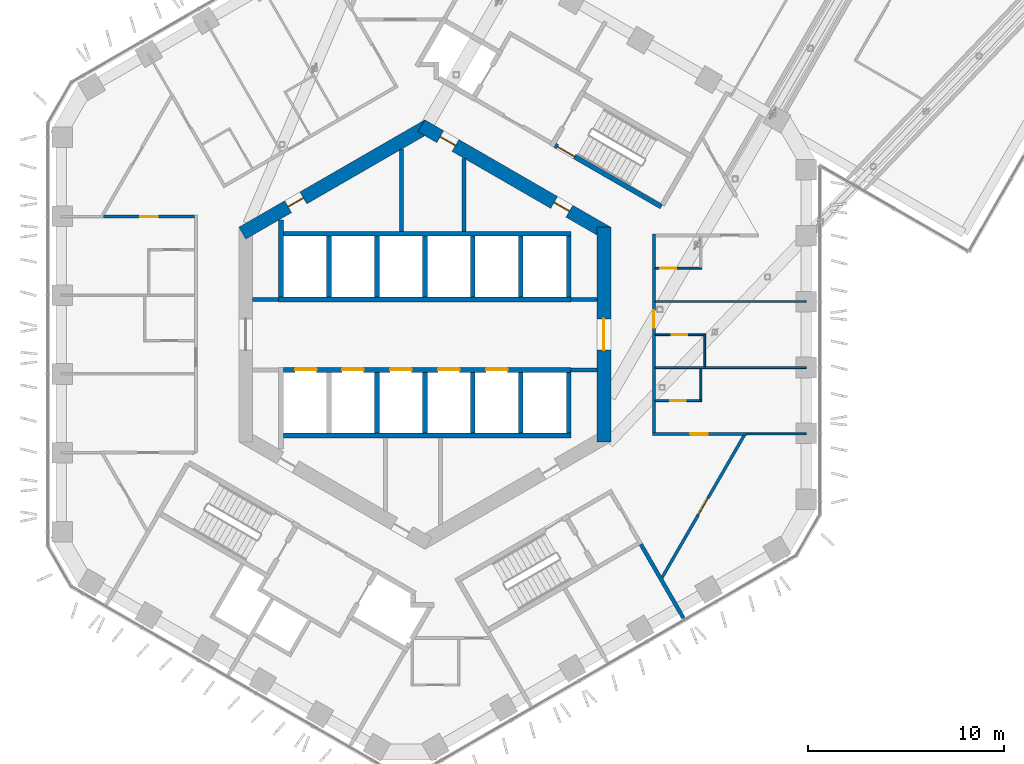
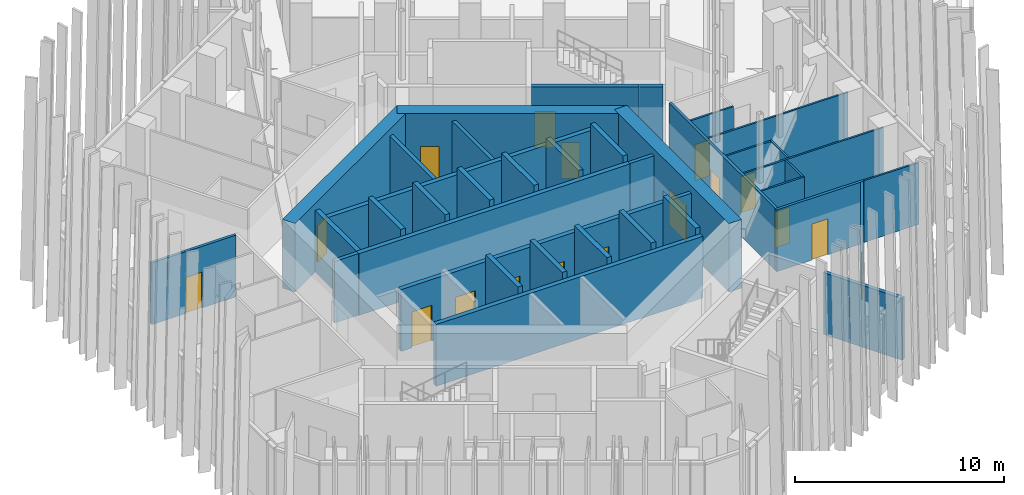
# One storey, part 21 of 31: 39 walls, 17 doors, 17 openings.
"""IFC4 building model written with IfcOpenShell, lengths in metres."""

from ifc_helpers import new_model, si_unit, direction, frame, frame_2d, origin, place, context, subcontext, project, spatial, rectangle, extrude, material, layer, layer_set, type_object, element, fill, save


model = new_model("IFC4")

# Units and contexts
model_context = context("Model", 3, precision=1e-05, world=origin(), true_north=direction((0.0, 1.0)))
body_context = subcontext(model_context, "Body", "Model", "MODEL_VIEW")
ifc_project = project(units=[si_unit("LENGTHUNIT", "METRE"), si_unit("AREAUNIT", "SQUARE_METRE"), si_unit("VOLUMEUNIT", "CUBIC_METRE"), si_unit("PLANEANGLEUNIT", "RADIAN"), si_unit("MASSUNIT", "GRAM", prefix="KILO")], contexts=[model_context])

# Site, building, storey
site_placement = place(None, origin())
site = spatial("IfcSite", under=ifc_project, at=site_placement, CompositionType="ELEMENT")
building_placement = place(site_placement, origin())
building = spatial("IfcBuilding", under=site, at=building_placement, Name="Ayvan Gate Tower", CompositionType="ELEMENT")
storey_placement = place(building_placement, frame((0.0, 0.0, 135.89990234375)))
storey = spatial("IfcBuildingStorey", under=building, at=storey_placement, Name="L36", CompositionType="ELEMENT", Elevation=135.89990234375)

# Wall, opening, door
ifc_material_1 = material(Name="Concrete C70/85", Category="concrete")
ifc_layer_1 = layer(ifc_material_1, 0.699951171875)
ifc_layer_set_1 = layer_set([ifc_layer_1], Name="Concrete C70/85")
wall_type_1 = type_object("IfcWallType", Name="Core wall 700 C70/85", PredefinedType="SHEAR", material=ifc_layer_set_1)
wall_1_placement = place(storey_placement, frame((9.14990234375, -5.48486328125, 0.0), z_axis=(0.0, 0.0, 1.0), x_axis=(0.0, 1.0, 0.0)))
wall_1 = element("IfcWall", 1, at=wall_1_placement, inside=storey, type_object=wall_type_1, Name="CORE-L36-0", PredefinedType="SHEAR", context=body_context, shape_type="SweptSolid", body=[
    extrude(rectangle(XDim=10.9697265625, YDim=0.699951171875, at=frame_2d((5.48486328125, 0.0))), origin(), (0.0, 0.0, 1.0), 4.0),
])
opening_1_placement = place(wall_1_placement, frame((4.684814453125, 0.0, 0.0)))
opening_1 = element("IfcOpeningElement", 2, at=opening_1_placement, cuts=wall_1, Name="Opening L36-D55", PredefinedType="OPENING", context=body_context, shape_type="SweptSolid", body=[
    extrude(rectangle(XDim=1.60009765625, YDim=2.10009765625, at=frame_2d((0.800048828125, 1.050048828125))), frame((0.0, 0.35986328125, 0.0), z_axis=(0.0, -1.0, 0.0), x_axis=(1.0, 0.0, 0.0)), (0.0, 0.0, 1.0), 0.719970703125),
])
ifc_material_2 = material(Name="Timber door leaf", Category="wood")
door_type_1 = type_object("IfcDoorType", Name="DT-1600", OperationType="NOTDEFINED", PredefinedType="DOOR", material=ifc_material_2)
door_1_placement = place(opening_1_placement, origin())
door_1 = element("IfcDoor", 3, at=door_1_placement, inside=storey, type_object=door_type_1, Name="CD-L36-55", OperationType="SINGLE_SWING_LEFT", OverallHeight=2.10009765625, OverallWidth=1.60009765625, PredefinedType="DOOR", context=body_context, shape_type="SweptSolid", body=[
    extrude(rectangle(XDim=1.60009765625, YDim=2.10009765625, at=frame_2d((0.800048828125, 1.050048828125))), frame((0.0, 0.02490234375, 0.0), z_axis=(0.0, -1.0, 0.0), x_axis=(1.0, 0.0, 0.0)), (0.0, 0.0, 1.0), 0.050048828125),
])
fill(opening_1, door_1)

# Wall, openings, doors
wall_2_placement = place(storey_placement, frame((9.324951171875, 5.181640625, 0.0), z_axis=(0.0, 0.0, 1.0), x_axis=(-0.866023993627, 0.500002442456, 0.0)))
wall_2 = element("IfcWall", 4, at=wall_2_placement, inside=storey, type_object=wall_type_1, Name="CORE-L36-1", PredefinedType="SHEAR", context=body_context, shape_type="SweptSolid", body=[
    extrude(rectangle(XDim=10.9697265625, YDim=0.699951171875, at=frame_2d((5.48486328125, 0.0))), origin(), (0.0, 0.0, 1.0), 4.0),
])
opening_2_placement = place(wall_2_placement, frame((8.960205078125, 0.0, 0.0)))
opening_2 = element("IfcOpeningElement", 5, at=opening_2_placement, cuts=wall_2, Name="Opening L36-D50", PredefinedType="OPENING", context=body_context, shape_type="SweptSolid", body=[
    extrude(rectangle(XDim=0.89990234375, YDim=2.10009765625, at=frame_2d((0.449951171875, 1.050048828125))), frame((0.0, 0.35986328125, 0.0), z_axis=(0.0, -1.0, 0.0), x_axis=(1.0, 0.0, 0.0)), (0.0, 0.0, 1.0), 0.719970703125),
])
opening_3_placement = place(wall_2_placement, frame((2.239990234375, 0.0, 0.0)))
opening_3 = element("IfcOpeningElement", 6, at=opening_3_placement, cuts=wall_2, Name="Opening L36-D51", PredefinedType="OPENING", context=body_context, shape_type="SweptSolid", body=[
    extrude(rectangle(XDim=0.89990234375, YDim=2.10009765625, at=frame_2d((0.449951171875, 1.050048828125))), frame((0.0, 0.35986328125, 0.0), z_axis=(0.0, -1.0, 0.0), x_axis=(1.0, 0.0, 0.0)), (0.0, 0.0, 1.0), 0.719970703125),
])
door_type_2 = type_object("IfcDoorType", Name="DT-900", OperationType="NOTDEFINED", PredefinedType="DOOR", material=ifc_material_2)
door_2_placement = place(opening_2_placement, origin())
door_2 = element("IfcDoor", 7, at=door_2_placement, inside=storey, type_object=door_type_2, Name="CD-L36-50", OperationType="SINGLE_SWING_RIGHT", OverallHeight=2.10009765625, OverallWidth=0.89990234375, PredefinedType="DOOR", context=body_context, shape_type="SweptSolid", body=[
    extrude(rectangle(XDim=0.89990234375, YDim=2.10009765625, at=frame_2d((0.449951171875, 1.050048828125))), frame((0.0, 0.02490234375, 0.0), z_axis=(0.0, -1.0, 0.0), x_axis=(1.0, 0.0, 0.0)), (0.0, 0.0, 1.0), 0.050048828125),
])
fill(opening_2, door_2)
door_3_placement = place(opening_3_placement, origin())
door_3 = element("IfcDoor", 8, at=door_3_placement, inside=storey, type_object=door_type_2, Name="CD-L36-51", OperationType="SINGLE_SWING_LEFT", OverallHeight=2.10009765625, OverallWidth=0.89990234375, PredefinedType="DOOR", context=body_context, shape_type="SweptSolid", body=[
    extrude(rectangle(XDim=0.89990234375, YDim=2.10009765625, at=frame_2d((0.449951171875, 1.050048828125))), frame((0.0, 0.02490234375, 0.0), z_axis=(0.0, -1.0, 0.0), x_axis=(1.0, 0.0, 0.0)), (0.0, 0.0, 1.0), 0.050048828125),
])
fill(opening_3, door_3)

# Wall, opening, door
wall_3_placement = place(storey_placement, frame((0.175048828125, 10.66650390625, 0.0), z_axis=(0.0, 0.0, 1.0), x_axis=(-0.866023993627, -0.500002442456, 0.0)))
wall_3 = element("IfcWall", 9, at=wall_3_placement, inside=storey, type_object=wall_type_1, Name="CORE-L36-2", PredefinedType="SHEAR", context=body_context, shape_type="SweptSolid", body=[
    extrude(rectangle(XDim=10.9697265625, YDim=0.699951171875, at=frame_2d((5.48486328125, 0.0))), origin(), (0.0, 0.0, 1.0), 4.0),
])
opening_4_placement = place(wall_3_placement, frame((7.367919921875, 0.0, 0.0)))
opening_4 = element("IfcOpeningElement", 10, at=opening_4_placement, cuts=wall_3, Name="Opening L36-D49", PredefinedType="OPENING", context=body_context, shape_type="SweptSolid", body=[
    extrude(rectangle(XDim=0.89990234375, YDim=2.10009765625, at=frame_2d((0.449951171875, 1.050048828125))), frame((0.0, 0.35986328125, 0.0), z_axis=(0.0, -1.0, 0.0), x_axis=(1.0, 0.0, 0.0)), (0.0, 0.0, 1.0), 0.719970703125),
])
door_4_placement = place(opening_4_placement, origin())
door_4 = element("IfcDoor", 11, at=door_4_placement, inside=storey, type_object=door_type_2, Name="CD-L36-49", OperationType="SINGLE_SWING_LEFT", OverallHeight=2.10009765625, OverallWidth=0.89990234375, PredefinedType="DOOR", context=body_context, shape_type="SweptSolid", body=[
    extrude(rectangle(XDim=0.89990234375, YDim=2.10009765625, at=frame_2d((0.449951171875, 1.050048828125))), frame((0.0, 0.02490234375, 0.0), z_axis=(0.0, -1.0, 0.0), x_axis=(1.0, 0.0, 0.0)), (0.0, 0.0, 1.0), 0.050048828125),
])
fill(opening_4, door_4)

ifc_material_3 = material(Name="Plasterboard on steel stud", Category="steel")
ifc_layer_2 = layer(ifc_material_3, 0.14990234375)
ifc_layer_set_2 = layer_set([ifc_layer_2], Name="Plasterboard on steel stud")
wall_type_2 = type_object("IfcWallType", Name="WT-CORR-150", PredefinedType="PARTITIONING", material=ifc_layer_set_2)
wall_4_placement = place(storey_placement, frame((-11.77490234375, 6.030029296875, 0.0), z_axis=(0.0, 0.0, 1.0), x_axis=(-1.0, 0.0, 0.0)))
wall_4 = element("IfcWall", 12, at=wall_4_placement, inside=storey, type_object=wall_type_2, Name="IW-L36-017", PredefinedType="PARTITIONING", context=body_context, shape_type="SweptSolid", body=[
    extrude(rectangle(XDim=4.6494140625, YDim=0.14990234375, at=frame_2d((2.32470703125, 0.0))), origin(), (0.0, 0.0, 1.0), 3.60009765625),
])
opening_5_placement = place(wall_4_placement, frame((1.87451171875, 0.0, 0.0)))
opening_5 = element("IfcOpeningElement", 13, at=opening_5_placement, cuts=wall_4, Name="Opening L36-D24", PredefinedType="OPENING", context=body_context, shape_type="SweptSolid", body=[
    extrude(rectangle(XDim=0.89990234375, YDim=2.10009765625, at=frame_2d((0.449951171875, 1.050048828125))), frame((0.0, 0.0849609375, 0.0), z_axis=(0.0, -1.0, 0.0), x_axis=(1.0, 0.0, 0.0)), (0.0, 0.0, 1.0), 0.169921875),
])
door_5_placement = place(opening_5_placement, origin())
door_5 = element("IfcDoor", 14, at=door_5_placement, inside=storey, type_object=door_type_2, Name="ID-L36-024", OperationType="SINGLE_SWING_RIGHT", OverallHeight=2.10009765625, OverallWidth=0.89990234375, PredefinedType="DOOR", context=body_context, shape_type="SweptSolid", body=[
    extrude(rectangle(XDim=0.89990234375, YDim=2.10009765625, at=frame_2d((0.449951171875, 1.050048828125))), frame((0.0, 0.02490234375, 0.0), z_axis=(0.0, -1.0, 0.0), x_axis=(1.0, 0.0, 0.0)), (0.0, 0.0, 1.0), 0.050048828125),
])
fill(opening_5, door_5)

wall_5_placement = place(storey_placement, frame((11.625, -5.072265625, 0.0), z_axis=(0.0, 0.0, 1.0), x_axis=(1.0, 0.0, 0.0)))
wall_5 = element("IfcWall", 15, at=wall_5_placement, inside=storey, type_object=wall_type_2, Name="IW-L36-114", PredefinedType="PARTITIONING", context=body_context, shape_type="SweptSolid", body=[
    extrude(rectangle(XDim=4.809326171875, YDim=0.14990234375, at=frame_2d((2.40478515625, 0.0))), origin(), (0.0, 0.0, 1.0), 3.60009765625),
])
opening_6_placement = place(wall_5_placement, frame((1.9375, 0.0, 0.0)))
opening_6 = element("IfcOpeningElement", 16, at=opening_6_placement, cuts=wall_5, Name="Opening L36-D17", PredefinedType="OPENING", context=body_context, shape_type="SweptSolid", body=[
    extrude(rectangle(XDim=0.89990234375, YDim=2.10009765625, at=frame_2d((0.449951171875, 1.050048828125))), frame((0.0, 0.0849609375, 0.0), z_axis=(0.0, -1.0, 0.0), x_axis=(1.0, 0.0, 0.0)), (0.0, 0.0, 1.0), 0.169921875),
])
door_6_placement = place(opening_6_placement, origin())
door_6 = element("IfcDoor", 17, at=door_6_placement, inside=storey, type_object=door_type_2, Name="ID-L36-017", OperationType="SINGLE_SWING_LEFT", OverallHeight=2.10009765625, OverallWidth=0.89990234375, PredefinedType="DOOR", context=body_context, shape_type="SweptSolid", body=[
    extrude(rectangle(XDim=0.89990234375, YDim=2.10009765625, at=frame_2d((0.449951171875, 1.050048828125))), frame((0.0, 0.02490234375, 0.0), z_axis=(0.0, -1.0, 0.0), x_axis=(1.0, 0.0, 0.0)), (0.0, 0.0, 1.0), 0.050048828125),
])
fill(opening_6, door_6)

wall_6_placement = place(storey_placement, frame((11.699951171875, -4.997314453125, 0.0), z_axis=(0.0, 0.0, 1.0), x_axis=(0.0, 1.0, 0.0)))
wall_6 = element("IfcWall", 18, at=wall_6_placement, inside=storey, type_object=wall_type_2, Name="IW-L36-115", PredefinedType="PARTITIONING", context=body_context, shape_type="SweptSolid", body=[
    extrude(rectangle(XDim=10.14453125, YDim=0.14990234375, at=frame_2d((5.072265625, 0.0))), origin(), (0.0, 0.0, 1.0), 3.60009765625),
])
opening_7_placement = place(wall_6_placement, frame((5.337890625, 0.0, 0.0)))
opening_7 = element("IfcOpeningElement", 19, at=opening_7_placement, cuts=wall_6, Name="Opening L36-D19", PredefinedType="OPENING", context=body_context, shape_type="SweptSolid", body=[
    extrude(rectangle(XDim=0.89990234375, YDim=2.10009765625, at=frame_2d((0.449951171875, 1.050048828125))), frame((0.0, 0.0849609375, 0.0), z_axis=(0.0, -1.0, 0.0), x_axis=(1.0, 0.0, 0.0)), (0.0, 0.0, 1.0), 0.169921875),
])
door_7_placement = place(opening_7_placement, origin())
door_7 = element("IfcDoor", 20, at=door_7_placement, inside=storey, type_object=door_type_2, Name="ID-L36-019", OperationType="SINGLE_SWING_LEFT", OverallHeight=2.10009765625, OverallWidth=0.89990234375, PredefinedType="DOOR", context=body_context, shape_type="SweptSolid", body=[
    extrude(rectangle(XDim=0.89990234375, YDim=2.10009765625, at=frame_2d((0.449951171875, 1.050048828125))), frame((0.0, 0.02490234375, 0.0), z_axis=(0.0, -1.0, 0.0), x_axis=(1.0, 0.0, 0.0)), (0.0, 0.0, 1.0), 0.050048828125),
])
fill(opening_7, door_7)

wall_7_placement = place(storey_placement, frame((16.322021484375, -5.13720703125, 0.0), z_axis=(0.0, 0.0, 1.0), x_axis=(-0.49999983278, -0.866025500329, 0.0)))
wall_7 = element("IfcWall", 21, at=wall_7_placement, inside=storey, type_object=wall_type_2, Name="IW-L36-133", PredefinedType="PARTITIONING", context=body_context, shape_type="SweptSolid", body=[
    extrude(rectangle(XDim=8.40625, YDim=0.14990234375, at=frame_2d((4.203125, 0.0))), origin(), (0.0, 0.0, 1.0), 3.60009765625),
])
opening_8_placement = place(wall_7_placement, frame((3.703125, 0.0, 0.0)))
opening_8 = element("IfcOpeningElement", 22, at=opening_8_placement, cuts=wall_7, Name="Opening L36-D32", PredefinedType="OPENING", context=body_context, shape_type="SweptSolid", body=[
    extrude(rectangle(XDim=1.0, YDim=2.10009765625, at=frame_2d((0.5, 1.050048828125))), frame((0.0, 0.0849609375, 0.0), z_axis=(0.0, -1.0, 0.0), x_axis=(1.0, 0.0, 0.0)), (0.0, 0.0, 1.0), 0.169921875),
])
door_type_3 = type_object("IfcDoorType", Name="DT-1000", OperationType="NOTDEFINED", PredefinedType="DOOR", material=ifc_material_2)
door_8_placement = place(opening_8_placement, origin())
door_8 = element("IfcDoor", 23, at=door_8_placement, inside=storey, type_object=door_type_3, Name="ID-L36-032", OperationType="SINGLE_SWING_RIGHT", OverallHeight=2.10009765625, OverallWidth=1.0, PredefinedType="DOOR", context=body_context, shape_type="SweptSolid", body=[
    extrude(rectangle(XDim=1.0, YDim=2.10009765625, at=frame_2d((0.5, 1.050048828125))), frame((0.0, 0.02490234375, 0.0), z_axis=(0.0, -1.0, 0.0), x_axis=(1.0, 0.0, 0.0)), (0.0, 0.0, 1.0), 0.050048828125),
])
fill(opening_8, door_8)

ifc_layer_3 = layer(ifc_material_3, 0.10009765625)
ifc_layer_set_3 = layer_set([ifc_layer_3], Name="Plasterboard on steel stud")
wall_type_3 = type_object("IfcWallType", Name="WT-PART-100", PredefinedType="PARTITIONING", material=ifc_layer_set_3)
wall_8_placement = place(storey_placement, frame((11.77490234375, -3.372314453125, 0.0), z_axis=(0.0, 0.0, 1.0), x_axis=(1.0, 0.0, 0.0)))
wall_8 = element("IfcWall", 24, at=wall_8_placement, inside=storey, type_object=wall_type_3, Name="IW-L36-116", PredefinedType="PARTITIONING", context=body_context, shape_type="SweptSolid", body=[
    extrude(rectangle(XDim=2.375, YDim=0.10009765625, at=frame_2d((1.1875, 0.0))), origin(), (0.0, 0.0, 1.0), 3.60009765625),
])
opening_9_placement = place(wall_8_placement, frame((0.762451171875, 0.0, 0.0)))
opening_9 = element("IfcOpeningElement", 25, at=opening_9_placement, cuts=wall_8, Name="Opening L36-D18", PredefinedType="OPENING", context=body_context, shape_type="SweptSolid", body=[
    extrude(rectangle(XDim=0.800048828125, YDim=2.10009765625, at=frame_2d((0.39990234375, 1.050048828125))), frame((0.0, 0.06005859375, 0.0), z_axis=(0.0, -1.0, 0.0), x_axis=(1.0, 0.0, 0.0)), (0.0, 0.0, 1.0), 0.1201171875),
])
door_type_4 = type_object("IfcDoorType", Name="DT-800", OperationType="NOTDEFINED", PredefinedType="DOOR", material=ifc_material_2)
door_9_placement = place(opening_9_placement, origin())
door_9 = element("IfcDoor", 26, at=door_9_placement, inside=storey, type_object=door_type_4, Name="ID-L36-018", OperationType="SINGLE_SWING_RIGHT", OverallHeight=2.10009765625, OverallWidth=0.800048828125, PredefinedType="DOOR", context=body_context, shape_type="SweptSolid", body=[
    extrude(rectangle(XDim=0.800048828125, YDim=2.10009765625, at=frame_2d((0.39990234375, 1.050048828125))), frame((0.0, 0.02490234375, 0.0), z_axis=(0.0, -1.0, 0.0), x_axis=(1.0, 0.0, 0.0)), (0.0, 0.0, 1.0), 0.050048828125),
])
fill(opening_9, door_9)

# Walls
for number, where, z_axis, x_axis, name in (
    (27, (11.77490234375, -1.690673828125, 0.0), (0.0, 0.0, 1.0), (1.0, 0.0, 0.0), "IW-L36-117"),
    (28, (11.77490234375, 1.690673828125, 0.0), (0.0, 0.0, 1.0), (1.0, 0.0, 0.0), "IW-L36-118"),
):
    element("IfcWall", number, at=place(storey_placement, frame(where, z_axis=z_axis, x_axis=x_axis)), inside=storey, type_object=wall_type_3, Name=name, PredefinedType="PARTITIONING", context=body_context, shape_type="SweptSolid", body=[
        extrude(rectangle(XDim=7.710693359375, YDim=0.10009765625, at=frame_2d((3.85546875, 0.0))), origin(), (0.0, 0.0, 1.0), 3.60009765625),
    ])

# Wall, opening, door
wall_9_placement = place(storey_placement, frame((11.77490234375, 3.390625, 0.0), z_axis=(0.0, 0.0, 1.0), x_axis=(1.0, 0.0, 0.0)))
wall_9 = element("IfcWall", 29, at=wall_9_placement, inside=storey, type_object=wall_type_3, Name="IW-L36-119", PredefinedType="PARTITIONING", context=body_context, shape_type="SweptSolid", body=[
    extrude(rectangle(XDim=2.375, YDim=0.10009765625, at=frame_2d((1.1875, 0.0))), origin(), (0.0, 0.0, 1.0), 3.60009765625),
])
opening_10_placement = place(wall_9_placement, frame((0.262451171875, 0.0, 0.0)))
opening_10 = element("IfcOpeningElement", 30, at=opening_10_placement, cuts=wall_9, Name="Opening L36-D22", PredefinedType="OPENING", context=body_context, shape_type="SweptSolid", body=[
    extrude(rectangle(XDim=0.800048828125, YDim=2.10009765625, at=frame_2d((0.39990234375, 1.050048828125))), frame((0.0, 0.06005859375, 0.0), z_axis=(0.0, -1.0, 0.0), x_axis=(1.0, 0.0, 0.0)), (0.0, 0.0, 1.0), 0.1201171875),
])
door_10_placement = place(opening_10_placement, origin())
door_10 = element("IfcDoor", 31, at=door_10_placement, inside=storey, type_object=door_type_4, Name="ID-L36-022", OperationType="SINGLE_SWING_RIGHT", OverallHeight=2.10009765625, OverallWidth=0.800048828125, PredefinedType="DOOR", context=body_context, shape_type="SweptSolid", body=[
    extrude(rectangle(XDim=0.800048828125, YDim=2.10009765625, at=frame_2d((0.39990234375, 1.050048828125))), frame((0.0, 0.02490234375, 0.0), z_axis=(0.0, -1.0, 0.0), x_axis=(1.0, 0.0, 0.0)), (0.0, 0.0, 1.0), 0.050048828125),
])
fill(opening_10, door_10)

# Walls
wall_10_placement = place(storey_placement, frame((14.10009765625, -3.322265625, 0.0), z_axis=(0.0, 0.0, 1.0), x_axis=(0.0, 1.0, 0.0)))
element("IfcWall", 32, at=wall_10_placement, inside=storey, type_object=wall_type_3, Name="IW-L36-122", PredefinedType="PARTITIONING", context=body_context, shape_type="SweptSolid", body=[
    extrude(rectangle(XDim=1.58154296875, YDim=0.10009765625, at=frame_2d((0.790771484375, 0.0))), origin(), (0.0, 0.0, 1.0), 3.60009765625),
])
wall_11_placement = place(storey_placement, frame((14.300048828125, -1.640625, 0.0), z_axis=(0.0, 0.0, 1.0), x_axis=(0.0, 1.0, 0.0)))
element("IfcWall", 33, at=wall_11_placement, inside=storey, type_object=wall_type_3, Name="IW-L36-127", PredefinedType="PARTITIONING", context=body_context, shape_type="SweptSolid", body=[
    extrude(rectangle(XDim=1.681396484375, YDim=0.10009765625, at=frame_2d((0.8408203125, 0.0))), origin(), (0.0, 0.0, 1.0), 3.60009765625),
])

# Wall, opening, door
wall_12_placement = place(storey_placement, frame((14.25, -0.00927734375, 0.0), z_axis=(0.0, 0.0, 1.0), x_axis=(-1.0, 0.0, 0.0)))
wall_12 = element("IfcWall", 34, at=wall_12_placement, inside=storey, type_object=wall_type_3, Name="IW-L36-128", PredefinedType="PARTITIONING", context=body_context, shape_type="SweptSolid", body=[
    extrude(rectangle(XDim=2.47509765625, YDim=0.10009765625, at=frame_2d((1.237548828125, 0.0))), origin(), (0.0, 0.0, 1.0), 3.60009765625),
])
opening_11_placement = place(wall_12_placement, frame((0.83740234375, 0.0, 0.0)))
opening_11 = element("IfcOpeningElement", 35, at=opening_11_placement, cuts=wall_12, Name="Opening L36-D20", PredefinedType="OPENING", context=body_context, shape_type="SweptSolid", body=[
    extrude(rectangle(XDim=0.800048828125, YDim=2.10009765625, at=frame_2d((0.39990234375, 1.050048828125))), frame((0.0, 0.06005859375, 0.0), z_axis=(0.0, -1.0, 0.0), x_axis=(1.0, 0.0, 0.0)), (0.0, 0.0, 1.0), 0.1201171875),
])
door_11_placement = place(opening_11_placement, origin())
door_11 = element("IfcDoor", 36, at=door_11_placement, inside=storey, type_object=door_type_4, Name="ID-L36-020", OperationType="SINGLE_SWING_RIGHT", OverallHeight=2.10009765625, OverallWidth=0.800048828125, PredefinedType="DOOR", context=body_context, shape_type="SweptSolid", body=[
    extrude(rectangle(XDim=0.800048828125, YDim=2.10009765625, at=frame_2d((0.39990234375, 1.050048828125))), frame((0.0, 0.02490234375, 0.0), z_axis=(0.0, -1.0, 0.0), x_axis=(1.0, 0.0, 0.0)), (0.0, 0.0, 1.0), 0.050048828125),
])
fill(opening_11, door_11)

# Walls
wall_13_placement = place(storey_placement, frame((19.485595703125, -5.072265625, 0.0), z_axis=(0.0, 0.0, 1.0), x_axis=(-1.0, 0.0, 0.0)))
element("IfcWall", 37, at=wall_13_placement, inside=storey, type_object=wall_type_3, Name="IW-L36-134", PredefinedType="PARTITIONING", context=body_context, shape_type="SweptSolid", body=[
    extrude(rectangle(XDim=3.05126953125, YDim=0.10009765625, at=frame_2d((1.525634765625, 0.0))), origin(), (0.0, 0.0, 1.0), 3.60009765625),
])
ifc_layer_4 = layer(ifc_material_3, 0.199951171875)
ifc_layer_set_4 = layer_set([ifc_layer_4], Name="Plasterboard on steel stud")
wall_type_4 = type_object("IfcWallType", Name="WT-PLUMB-200", PredefinedType="PLUMBINGWALL", material=ifc_layer_set_4)
wall_14_placement = place(storey_placement, frame((11.037353515625, -10.71728515625, 0.0), z_axis=(0.0, 0.0, 1.0), x_axis=(0.50001167932, -0.866018660621, 0.0)))
element("IfcWall", 38, at=wall_14_placement, inside=storey, type_object=wall_type_4, Name="IW-L36-111", PredefinedType="PLUMBINGWALL", context=body_context, shape_type="SweptSolid", body=[
    extrude(rectangle(XDim=4.35986328125, YDim=0.199951171875, at=frame_2d((2.179931640625, 0.0))), origin(), (0.0, 0.0, 1.0), 3.60009765625),
])
ifc_layer_5 = layer(ifc_material_3, 0.199951171875)
ifc_layer_set_5 = layer_set([ifc_layer_5], Name="Plasterboard on steel stud")
wall_type_5 = type_object("IfcWallType", Name="WT-RATED-200", PredefinedType="PARTITIONING", material=ifc_layer_set_5)
wall_15_placement = place(storey_placement, frame((-8.800048828125, 1.800048828125, 0.0), z_axis=(0.0, 0.0, 1.0), x_axis=(1.0, 0.0, 0.0)))
element("IfcWall", 39, at=wall_15_placement, inside=storey, type_object=wall_type_5, Name="IW-L36-021", PredefinedType="PARTITIONING", context=body_context, shape_type="SweptSolid", body=[
    extrude(rectangle(XDim=1.3251953125, YDim=0.199951171875, at=frame_2d((0.66259765625, 0.0))), origin(), (0.0, 0.0, 1.0), 3.60009765625),
])
wall_16_placement = place(storey_placement, frame((-1.199951171875, 9.468505859375, 0.0), z_axis=(0.0, 0.0, 1.0), x_axis=(0.0, -1.0, 0.0)))
element("IfcWall", 40, at=wall_16_placement, inside=storey, type_object=wall_type_5, Name="IW-L36-054", PredefinedType="PARTITIONING", context=body_context, shape_type="SweptSolid", body=[
    extrude(rectangle(XDim=4.193603515625, YDim=0.199951171875, at=frame_2d((2.0966796875, 0.0))), origin(), (0.0, 0.0, 1.0), 3.60009765625),
])
wall_17_placement = place(storey_placement, frame((2.0, 9.006591796875, 0.0), z_axis=(0.0, 0.0, 1.0), x_axis=(0.0, -1.0, 0.0)))
element("IfcWall", 41, at=wall_17_placement, inside=storey, type_object=wall_type_5, Name="IW-L36-075", PredefinedType="PARTITIONING", context=body_context, shape_type="SweptSolid", body=[
    extrude(rectangle(XDim=3.731689453125, YDim=0.199951171875, at=frame_2d((1.86572265625, 0.0))), origin(), (0.0, 0.0, 1.0), 3.60009765625),
])
for number, where, z_axis, x_axis, name in (
    (42, (7.474853515625, 1.800048828125, 0.0), (0.0, 0.0, 1.0), (1.0, 0.0, 0.0), "IW-L36-100"),
    (43, (8.800048828125, -1.800048828125, 0.0), (0.0, 0.0, 1.0), (-1.0, 0.0, 0.0), "IW-L36-108"),
):
    element("IfcWall", number, at=place(storey_placement, frame(where, z_axis=z_axis, x_axis=x_axis)), inside=storey, type_object=wall_type_5, Name=name, PredefinedType="PARTITIONING", context=body_context, shape_type="SweptSolid", body=[
        extrude(rectangle(XDim=1.3251953125, YDim=0.199951171875, at=frame_2d((0.66259765625, 0.0))), origin(), (0.0, 0.0, 1.0), 3.60009765625),
    ])
ifc_material_4 = material(Name="Concrete C50/60", Category="concrete")
ifc_layer_6 = layer(ifc_material_4, 0.25)
ifc_layer_set_6 = layer_set([ifc_layer_6], Name="Concrete C50/60")
wall_type_6 = type_object("IfcWallType", Name="WT-RC-250", PredefinedType="SHEAR", material=ifc_layer_set_6)
wall_18_placement = place(storey_placement, frame((-7.47509765625, 1.800048828125, 0.0), z_axis=(0.0, 0.0, 1.0), x_axis=(1.0, 0.0, 0.0)))
element("IfcWall", 44, at=wall_18_placement, inside=storey, type_object=wall_type_6, Name="IW-L36-027", PredefinedType="SHEAR", context=body_context, shape_type="SweptSolid", body=[
    extrude(rectangle(XDim=14.9501953125, YDim=0.25, at=frame_2d((7.47509765625, 0.0))), origin(), (0.0, 0.0, 1.0), 3.60009765625),
])
wall_19_placement = place(storey_placement, frame((-7.35009765625, 1.925048828125, 0.0), z_axis=(0.0, 0.0, 1.0), x_axis=(0.0, 1.0, 0.0)))
element("IfcWall", 45, at=wall_19_placement, inside=storey, type_object=wall_type_6, Name="IW-L36-029", PredefinedType="SHEAR", context=body_context, shape_type="SweptSolid", body=[
    extrude(rectangle(XDim=3.920654296875, YDim=0.25, at=frame_2d((1.96044921875, 0.0))), origin(), (0.0, 0.0, 1.0), 3.60009765625),
])
for number, where, z_axis, x_axis, name in (
    (46, (-7.22509765625, 5.14990234375, 0.0), (0.0, 0.0, 1.0), (1.0, 0.0, 0.0), "IW-L36-030"),
    (47, (-7.22509765625, -5.14990234375, 0.0), (0.0, 0.0, 1.0), (1.0, 0.0, 0.0), "IW-L36-037"),
):
    element("IfcWall", number, at=place(storey_placement, frame(where, z_axis=z_axis, x_axis=x_axis)), inside=storey, type_object=wall_type_6, Name=name, PredefinedType="SHEAR", context=body_context, shape_type="SweptSolid", body=[
        extrude(rectangle(XDim=14.7001953125, YDim=0.25, at=frame_2d((7.35009765625, 0.0))), origin(), (0.0, 0.0, 1.0), 3.60009765625),
    ])
wall_20_placement = place(storey_placement, frame((-4.89990234375, 5.02490234375, 0.0), z_axis=(0.0, 0.0, 1.0), x_axis=(0.0, -1.0, 0.0)))
element("IfcWall", 48, at=wall_20_placement, inside=storey, type_object=wall_type_6, Name="IW-L36-039", PredefinedType="SHEAR", context=body_context, shape_type="SweptSolid", body=[
    extrude(rectangle(XDim=3.099853515625, YDim=0.25, at=frame_2d((1.5498046875, 0.0))), origin(), (0.0, 0.0, 1.0), 4.0),
])

# Wall, openings, doors
wall_21_placement = place(storey_placement, frame((-7.22509765625, -1.800048828125, 0.0), z_axis=(0.0, 0.0, 1.0), x_axis=(1.0, 0.0, 0.0)))
wall_21 = element("IfcWall", 49, at=wall_21_placement, inside=storey, type_object=wall_type_6, Name="IW-L36-040", PredefinedType="SHEAR", context=body_context, shape_type="SweptSolid", body=[
    extrude(rectangle(XDim=14.7001953125, YDim=0.25, at=frame_2d((7.35009765625, 0.0))), origin(), (0.0, 0.0, 1.0), 3.60009765625),
])
opening_12_placement = place(wall_21_placement, frame((0.597412109375, 0.0, 0.0)))
opening_12 = element("IfcOpeningElement", 50, at=opening_12_placement, cuts=wall_21, Name="Opening L36-LD-LR1", PredefinedType="OPENING", context=body_context, shape_type="SweptSolid", body=[
    extrude(rectangle(XDim=1.10009765625, YDim=2.10009765625, at=frame_2d((0.550048828125, 1.050048828125))), frame((0.0, 0.135009765625, 0.0), z_axis=(0.0, -1.0, 0.0), x_axis=(1.0, 0.0, 0.0)), (0.0, 0.0, 1.0), 0.27001953125),
])
opening_13_placement = place(wall_21_placement, frame((3.0, 0.0, 0.0)))
opening_13 = element("IfcOpeningElement", 51, at=opening_13_placement, cuts=wall_21, Name="Opening L36-LD-LR2", PredefinedType="OPENING", context=body_context, shape_type="SweptSolid", body=[
    extrude(rectangle(XDim=1.10009765625, YDim=2.10009765625, at=frame_2d((0.550048828125, 1.050048828125))), frame((0.0, 0.135009765625, 0.0), z_axis=(0.0, -1.0, 0.0), x_axis=(1.0, 0.0, 0.0)), (0.0, 0.0, 1.0), 0.27001953125),
])
opening_14_placement = place(wall_21_placement, frame((5.4501953125, 0.0, 0.0)))
opening_14 = element("IfcOpeningElement", 52, at=opening_14_placement, cuts=wall_21, Name="Opening L36-LD-LR3", PredefinedType="OPENING", context=body_context, shape_type="SweptSolid", body=[
    extrude(rectangle(XDim=1.10009765625, YDim=2.10009765625, at=frame_2d((0.550048828125, 1.050048828125))), frame((0.0, 0.135009765625, 0.0), z_axis=(0.0, -1.0, 0.0), x_axis=(1.0, 0.0, 0.0)), (0.0, 0.0, 1.0), 0.27001953125),
])
opening_15_placement = place(wall_21_placement, frame((7.900146484375, 0.0, 0.0)))
opening_15 = element("IfcOpeningElement", 53, at=opening_15_placement, cuts=wall_21, Name="Opening L36-LD-LR4", PredefinedType="OPENING", context=body_context, shape_type="SweptSolid", body=[
    extrude(rectangle(XDim=1.10009765625, YDim=2.10009765625, at=frame_2d((0.550048828125, 1.050048828125))), frame((0.0, 0.135009765625, 0.0), z_axis=(0.0, -1.0, 0.0), x_axis=(1.0, 0.0, 0.0)), (0.0, 0.0, 1.0), 0.27001953125),
])
opening_16_placement = place(wall_21_placement, frame((10.35009765625, 0.0, 0.0)))
opening_16 = element("IfcOpeningElement", 54, at=opening_16_placement, cuts=wall_21, Name="Opening L36-LD-SV", PredefinedType="OPENING", context=body_context, shape_type="SweptSolid", body=[
    extrude(rectangle(XDim=1.10009765625, YDim=2.10009765625, at=frame_2d((0.550048828125, 1.050048828125))), frame((0.0, 0.135009765625, 0.0), z_axis=(0.0, -1.0, 0.0), x_axis=(1.0, 0.0, 0.0)), (0.0, 0.0, 1.0), 0.27001953125),
])
ifc_material_5 = material(Name="Stainless steel landing door", Category="steel")
door_type_5 = type_object("IfcDoorType", Name="DT-LANDING-1100", OperationType="SLIDING_TO_LEFT", PredefinedType="DOOR", material=ifc_material_5)
door_12_placement = place(opening_12_placement, origin())
door_12 = element("IfcDoor", 55, at=door_12_placement, inside=storey, type_object=door_type_5, Name="ID-L36-001", OperationType="SLIDING_TO_LEFT", OverallHeight=2.10009765625, OverallWidth=1.10009765625, PredefinedType="DOOR", context=body_context, shape_type="SweptSolid", body=[
    extrude(rectangle(XDim=1.10009765625, YDim=2.10009765625, at=frame_2d((0.550048828125, 1.050048828125))), frame((0.0, 0.02490234375, 0.0), z_axis=(0.0, -1.0, 0.0), x_axis=(1.0, 0.0, 0.0)), (0.0, 0.0, 1.0), 0.050048828125),
])
fill(opening_12, door_12)
door_13_placement = place(opening_13_placement, origin())
door_13 = element("IfcDoor", 56, at=door_13_placement, inside=storey, type_object=door_type_5, Name="ID-L36-002", OperationType="SLIDING_TO_LEFT", OverallHeight=2.10009765625, OverallWidth=1.10009765625, PredefinedType="DOOR", context=body_context, shape_type="SweptSolid", body=[
    extrude(rectangle(XDim=1.10009765625, YDim=2.10009765625, at=frame_2d((0.550048828125, 1.050048828125))), frame((0.0, 0.02490234375, 0.0), z_axis=(0.0, -1.0, 0.0), x_axis=(1.0, 0.0, 0.0)), (0.0, 0.0, 1.0), 0.050048828125),
])
fill(opening_13, door_13)
door_14_placement = place(opening_14_placement, origin())
door_14 = element("IfcDoor", 57, at=door_14_placement, inside=storey, type_object=door_type_5, Name="ID-L36-003", OperationType="SLIDING_TO_LEFT", OverallHeight=2.10009765625, OverallWidth=1.10009765625, PredefinedType="DOOR", context=body_context, shape_type="SweptSolid", body=[
    extrude(rectangle(XDim=1.10009765625, YDim=2.10009765625, at=frame_2d((0.550048828125, 1.050048828125))), frame((0.0, 0.02490234375, 0.0), z_axis=(0.0, -1.0, 0.0), x_axis=(1.0, 0.0, 0.0)), (0.0, 0.0, 1.0), 0.050048828125),
])
fill(opening_14, door_14)
door_15_placement = place(opening_15_placement, origin())
door_15 = element("IfcDoor", 58, at=door_15_placement, inside=storey, type_object=door_type_5, Name="ID-L36-004", OperationType="SLIDING_TO_LEFT", OverallHeight=2.10009765625, OverallWidth=1.10009765625, PredefinedType="DOOR", context=body_context, shape_type="SweptSolid", body=[
    extrude(rectangle(XDim=1.10009765625, YDim=2.10009765625, at=frame_2d((0.550048828125, 1.050048828125))), frame((0.0, 0.02490234375, 0.0), z_axis=(0.0, -1.0, 0.0), x_axis=(1.0, 0.0, 0.0)), (0.0, 0.0, 1.0), 0.050048828125),
])
fill(opening_15, door_15)
door_16_placement = place(opening_16_placement, origin())
door_16 = element("IfcDoor", 59, at=door_16_placement, inside=storey, type_object=door_type_5, Name="ID-L36-005", OperationType="SLIDING_TO_LEFT", OverallHeight=2.10009765625, OverallWidth=1.10009765625, PredefinedType="DOOR", context=body_context, shape_type="SweptSolid", body=[
    extrude(rectangle(XDim=1.10009765625, YDim=2.10009765625, at=frame_2d((0.550048828125, 1.050048828125))), frame((0.0, 0.02490234375, 0.0), z_axis=(0.0, -1.0, 0.0), x_axis=(1.0, 0.0, 0.0)), (0.0, 0.0, 1.0), 0.050048828125),
])
fill(opening_16, door_16)

# Walls
for number, where, z_axis, x_axis, name in (
    (60, (-2.449951171875, -1.925048828125, 0.0), (0.0, 0.0, 1.0), (0.0, -1.0, 0.0), "IW-L36-049"),
    (61, (-2.449951171875, 5.02490234375, 0.0), (0.0, 0.0, 1.0), (0.0, -1.0, 0.0), "IW-L36-050"),
    (62, (0.0, -1.925048828125, 0.0), (0.0, 0.0, 1.0), (0.0, -1.0, 0.0), "IW-L36-063"),
    (63, (0.0, 5.02490234375, 0.0), (0.0, 0.0, 1.0), (0.0, -1.0, 0.0), "IW-L36-064"),
    (64, (2.449951171875, -1.925048828125, 0.0), (0.0, 0.0, 1.0), (0.0, -1.0, 0.0), "IW-L36-076"),
    (65, (2.449951171875, 5.02490234375, 0.0), (0.0, 0.0, 1.0), (0.0, -1.0, 0.0), "IW-L36-077"),
    (66, (4.89990234375, -1.925048828125, 0.0), (0.0, 0.0, 1.0), (0.0, -1.0, 0.0), "IW-L36-091"),
    (67, (4.89990234375, 5.02490234375, 0.0), (0.0, 0.0, 1.0), (0.0, -1.0, 0.0), "IW-L36-092"),
    (68, (7.35009765625, -1.925048828125, 0.0), (0.0, 0.0, 1.0), (0.0, -1.0, 0.0), "IW-L36-101"),
    (69, (7.35009765625, 5.02490234375, 0.0), (0.0, 0.0, 1.0), (0.0, -1.0, 0.0), "IW-L36-102"),
):
    element("IfcWall", number, at=place(storey_placement, frame(where, z_axis=z_axis, x_axis=x_axis)), inside=storey, type_object=wall_type_6, Name=name, PredefinedType="SHEAR", context=body_context, shape_type="SweptSolid", body=[
        extrude(rectangle(XDim=3.099853515625, YDim=0.25, at=frame_2d((1.5498046875, 0.0))), origin(), (0.0, 0.0, 1.0), 4.0),
    ])

# Wall, opening, door
wall_22_placement = place(storey_placement, frame((11.10009765625, 7.101318359375, 0.0), z_axis=(0.0, 0.0, 1.0), x_axis=(-0.8660265141, 0.499998076872, 0.0)))
wall_22 = element("IfcWall", 70, at=wall_22_placement, inside=storey, type_object=wall_type_6, Name="IW-L36-113", PredefinedType="SHEAR", context=body_context, shape_type="SweptSolid", body=[
    extrude(rectangle(XDim=5.13720703125, YDim=0.25, at=frame_2d((2.568603515625, 0.0))), origin(), (0.0, 0.0, 1.0), 3.60009765625),
])
opening_17_placement = place(wall_22_placement, frame((3.9873046875, 0.0, 0.0)))
opening_17 = element("IfcOpeningElement", 71, at=opening_17_placement, cuts=wall_22, Name="Opening L36-D06", PredefinedType="OPENING", context=body_context, shape_type="SweptSolid", body=[
    extrude(rectangle(XDim=1.0, YDim=2.10009765625, at=frame_2d((0.5, 1.050048828125))), frame((0.0, 0.135009765625, 0.0), z_axis=(0.0, -1.0, 0.0), x_axis=(1.0, 0.0, 0.0)), (0.0, 0.0, 1.0), 0.27001953125),
])
door_17_placement = place(opening_17_placement, origin())
door_17 = element("IfcDoor", 72, at=door_17_placement, inside=storey, type_object=door_type_3, Name="ID-L36-006", OperationType="SINGLE_SWING_RIGHT", OverallHeight=2.10009765625, OverallWidth=1.0, PredefinedType="DOOR", context=body_context, shape_type="SweptSolid", body=[
    extrude(rectangle(XDim=1.0, YDim=2.10009765625, at=frame_2d((0.5, 1.050048828125))), frame((0.0, 0.02490234375, 0.0), z_axis=(0.0, -1.0, 0.0), x_axis=(1.0, 0.0, 0.0)), (0.0, 0.0, 1.0), 0.050048828125),
])
fill(opening_17, door_17)

# Wall
wall_23_placement = place(storey_placement, frame((12.08544921875, 6.532470703125, 0.0), z_axis=(0.0, 0.0, 1.0), x_axis=(-0.86604373436, 0.499968249168, 0.0)))
element("IfcWall", 73, at=wall_23_placement, inside=storey, type_object=wall_type_6, Name="IW-L36-120", PredefinedType="SHEAR", context=body_context, shape_type="SweptSolid", body=[
    extrude(rectangle(XDim=1.11767578125, YDim=0.25, at=frame_2d((0.558837890625, 0.0))), origin(), (0.0, 0.0, 1.0), 3.60009765625),
])

save(model, "model.ifc")
